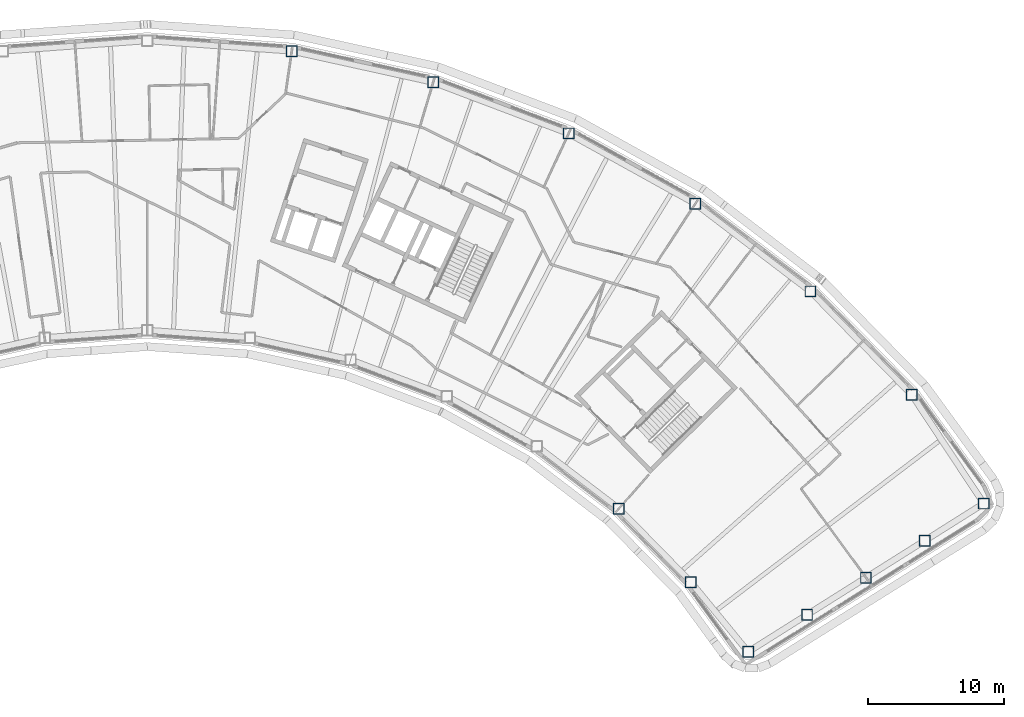
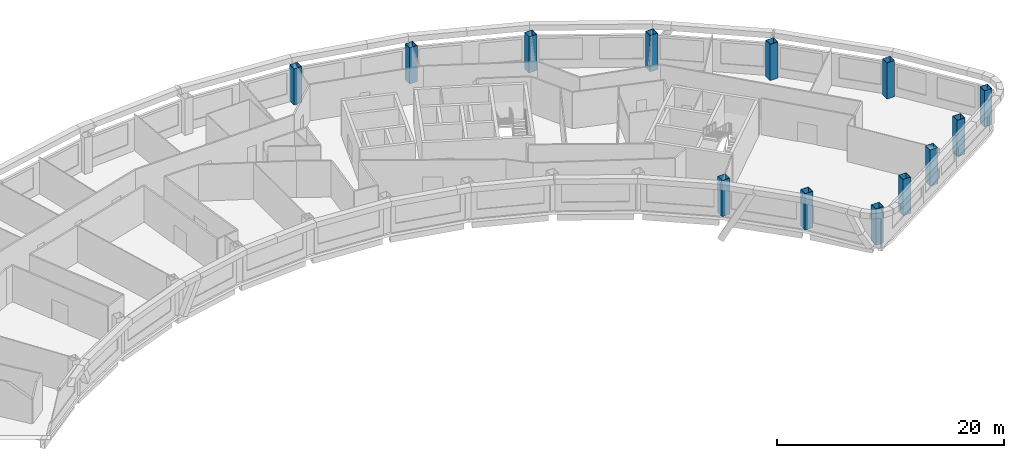
# One storey, part 2 of 14: 13 columns.
"""IFC4 building model written with IfcOpenShell, lengths in metres."""

from ifc_helpers import new_model, si_unit, direction, frame, origin, origin_2d, place, context, subcontext, project, spatial, hollow_rectangle, extrude, material, material_profile, profile_set, type_object, element, save


model = new_model("IFC4")

# Units and contexts
model_context = context("Model", 3, precision=1e-05, world=origin(), true_north=direction((0.0, 1.0)))
body_context = subcontext(model_context, "Body", "Model", "MODEL_VIEW")
ifc_project = project(units=[si_unit("LENGTHUNIT", "METRE"), si_unit("AREAUNIT", "SQUARE_METRE"), si_unit("VOLUMEUNIT", "CUBIC_METRE"), si_unit("PLANEANGLEUNIT", "RADIAN"), si_unit("MASSUNIT", "GRAM", prefix="KILO")], contexts=[model_context])

# Site, building, storey
site_placement = place(None, origin())
site = spatial("IfcSite", under=ifc_project, at=site_placement, CompositionType="ELEMENT")
building_placement = place(site_placement, origin())
building = spatial("IfcBuilding", under=site, at=building_placement, Name="Tuul Gate Civic Tower", CompositionType="ELEMENT")
storey_placement = place(building_placement, frame((0.0, 0.0, 269.39990234375)))
storey = spatial("IfcBuildingStorey", under=building, at=storey_placement, Name="Level 61", CompositionType="ELEMENT", Elevation=269.39990234375)

# Columns
ifc_material = material(Name="Steel S355", Category="steel")
ifc_material_profile = material_profile(ifc_material, hollow_rectangle(XDim=0.800048828125, YDim=0.800048828125, WallThickness=0.031982421875, at=origin_2d()), Name="BOX800x800x32")
ifc_profile_set = profile_set([ifc_material_profile], Name="Steel S355")
column_type = type_object("IfcColumnType", Name="STR-COLUMN-BOX800x800x32", PredefinedType="COLUMN", material=ifc_profile_set)
for number, where, z_axis, x_axis, name in (
    (1, (72.701904296875, -20.654052734375, 0.0), (0.0, 0.0, 1.0), (1.0, 0.0, 0.0), "Column"),
    (2, (67.403076171875, -12.64208984375, 0.0), (0.0, 0.0, 1.0), (1.0, 0.0, 0.0), "Column"),
    (3, (59.927978515625, -5.01708984375, 0.0), (0.0, 0.0, 1.0), (1.0, 0.0, 0.0), "Column"),
    (4, (51.43310546875, 1.451904296875, 0.0), (0.0, 0.0, 1.0), (1.0, 0.0, 0.0), "Column"),
    (5, (42.094970703125, 6.6279296875, 0.0), (0.0, 0.0, 1.0), (1.0, 0.0, 0.0), "Column"),
    (6, (32.10791015625, 10.405029296875, 0.0), (0.0, 0.0, 1.0), (1.0, 0.0, 0.0), "Column"),
    (7, (21.679931640625, 12.702880859375, 0.0), (0.0, 0.0, 1.0), (1.0, 0.0, 0.0), "Column"),
    (8, (45.798095703125, -21.029052734375, 0.0), (0.0, 0.0, 1.0), (1.0, 0.0, 0.0), "Column"),
    (9, (51.112060546875, -26.449951171875, 0.0), (0.0, 0.0, 1.0), (1.0, 0.0, 0.0), "Column"),
    (10, (55.33203125, -31.592041015625, 0.0), (0.0, 0.0, 1.0), (1.0, 0.0, 0.0), "Column"),
    (11, (59.674072265625, -28.85791015625, 0.0), (0.0, 0.0, 1.0), (1.0, 0.0, 0.0), "Column"),
    (12, (64.01708984375, -26.123046875, 0.0), (0.0, 0.0, 1.0), (1.0, 0.0, 0.0), "Column"),
    (13, (68.35888671875, -23.388916015625, 0.0), (0.0, 0.0, 1.0), (1.0, 0.0, 0.0), "Column"),
):
    element("IfcColumn", number, at=place(storey_placement, frame(where, z_axis=z_axis, x_axis=x_axis)), inside=storey, type_object=column_type, Name=name, PredefinedType="COLUMN", context=body_context, shape_type="SweptSolid", body=[
        extrude(hollow_rectangle(XDim=0.800048828125, YDim=0.800048828125, WallThickness=0.031982421875, at=origin_2d()), origin(), (0.0, 0.0, 1.0), 3.900146484375),
    ])

save(model, "model.ifc")
